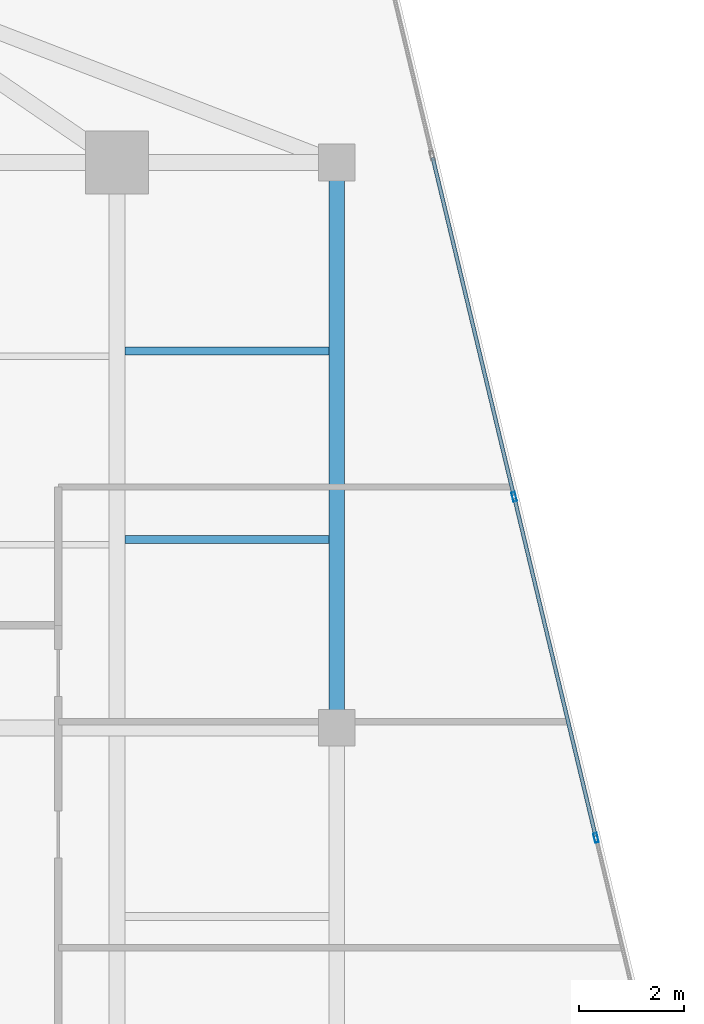
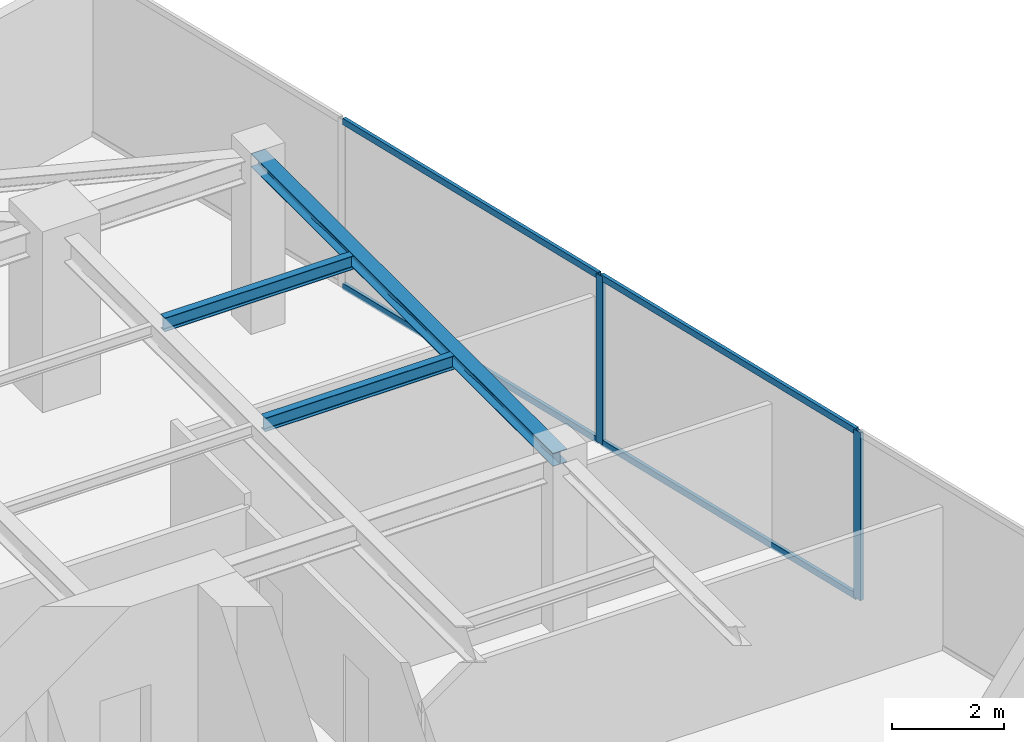
# One storey, part 11 of 22: 6 members, 3 beams, 1 element without a shape of its own.
"""IFC4 building model written with IfcOpenShell, lengths in metres."""

import ifcopenshell
import ifcopenshell.guid

model = None  # the IFC model being written
_history = None  # IfcOwnerHistory: only IFC2X3 demands one
_inside = {}  # id of a spatial element -> (the spatial element, [elements in it])
_under = {}  # id of a project, library or spatial element -> (it, [spatial elements below it])
_declared = {}  # id of a project -> (the project, [libraries it declares])
_typed = {}  # id of a type object -> (the type object, [elements of that type])
_made_of = {}  # id of a material, layer set ... -> (it, [elements and type objects made of it])


def new_model(schema):
    """Start an empty IFC model of exactly this schema.

    Asked for "IFC4X3", IfcOpenShell would pick the latest addendum, in which some entities
    have other attributes; the version numbers below select the first issue.
    IFC2X3 requires an IfcOwnerHistory on every rooted entity: one is made here for all.
    """
    global model, _history
    if schema == "IFC4X3":
        model = ifcopenshell.file(schema_version=(4, 3, 0, 0))
    else:
        model = ifcopenshell.file(schema=schema)
    _inside.clear()
    _under.clear()
    _declared.clear()
    _typed.clear()
    _made_of.clear()
    _history = None
    if model.schema == "IFC2X3":
        org = make("IfcOrganization", Name="unknown")
        user = make(
            "IfcPersonAndOrganization",
            ThePerson=make("IfcPerson", FamilyName="unknown"),
            TheOrganization=org,
        )
        app = make(
            "IfcApplication",
            ApplicationDeveloper=org,
            Version="unknown",
            ApplicationFullName="unknown",
            ApplicationIdentifier="unknown",
        )
        _history = make(
            "IfcOwnerHistory",
            OwningUser=user,
            OwningApplication=app,
            ChangeAction="ADDED",
            CreationDate=0,
        )
    return model


def make(cls, **values):
    """One entity of the class cls with the attributes given. An attribute that is None is left unset."""
    return model.create_entity(
        cls, **{name: value for name, value in values.items() if value is not None}
    )


def rooted(cls, **values):
    """An entity with a GlobalId (a new one), such as an element, a storey or a relation."""
    return make(cls, GlobalId=ifcopenshell.guid.new(), OwnerHistory=_history, **values)


def si_unit(unit_type, name, prefix=None):
    """IfcSIUnit, for example si_unit("LENGTHUNIT", "METRE", prefix="MILLI")."""
    return make("IfcSIUnit", UnitType=unit_type, Prefix=prefix, Name=name)


def assignment(units):
    """IfcUnitAssignment: the units of a project."""
    return None if units is None else make("IfcUnitAssignment", Units=units)


def point(xyz):
    """IfcCartesianPoint."""
    return None if xyz is None else make("IfcCartesianPoint", Coordinates=xyz)


def direction(xyz):
    """IfcDirection."""
    return None if xyz is None else make("IfcDirection", DirectionRatios=xyz)


def frame(location, z_axis=None, x_axis=None):
    """IfcAxis2Placement3D, a coordinate frame: its origin and axes. An axis left out is left unset."""
    return make(
        "IfcAxis2Placement3D",
        Location=point(location),
        Axis=direction(z_axis),
        RefDirection=direction(x_axis),
    )


def frame_2d(location, x_axis=None):
    """IfcAxis2Placement2D, a coordinate frame in the plane: its origin and x axis."""
    return make(
        "IfcAxis2Placement2D", Location=point(location), RefDirection=direction(x_axis)
    )


def origin():
    """The frame at (0, 0, 0) with its axes left unset."""
    return frame((0.0, 0.0, 0.0))


def origin_2d():
    """The frame at (0, 0) in the plane with its x axis left unset."""
    return frame_2d((0.0, 0.0))


def place(relative_to, where):
    """IfcLocalPlacement: puts the frame where relative to a parent placement (None: the world)."""
    return make(
        "IfcLocalPlacement", PlacementRelTo=relative_to, RelativePlacement=where
    )


def context(
    kind, dimensions, precision=None, world=None, true_north=None, identifier=None
):
    """IfcGeometricRepresentationContext, for example the 3D "Model" context."""
    return make(
        "IfcGeometricRepresentationContext",
        ContextIdentifier=identifier,
        ContextType=kind,
        CoordinateSpaceDimension=dimensions,
        Precision=precision,
        WorldCoordinateSystem=world,
        TrueNorth=true_north,
    )


def subcontext(parent, identifier, kind, view, scale=None):
    """IfcGeometricRepresentationSubContext, for example "Body" below "Model"."""
    return make(
        "IfcGeometricRepresentationSubContext",
        ContextIdentifier=identifier,
        ContextType=kind,
        ParentContext=parent,
        TargetScale=scale,
        TargetView=view,
    )


def project(units=None, contexts=None):
    """IfcProject with its units and contexts."""
    return rooted(
        "IfcProject",
        Name="project",
        RepresentationContexts=contexts,
        UnitsInContext=assignment(units),
    )


def spatial(cls, under=None, at=None, **own):
    """A site, building, storey or space (cls), placed at a placement, below another one or the project."""
    s = rooted(cls, ObjectPlacement=at, **own)
    if under is not None:
        _under.setdefault(under.id(), (under, []))[1].append(s)
    return s


def profile(cls, at=None, kind="AREA", **sizes):
    """A parametric profile (cls). Its sizes go by their IFC names, for example OverallWidth=200.0."""
    return make(cls, ProfileType=kind, Position=at, **sizes)


def hollow_rectangle(**sizes):
    """IfcRectangleHollowProfileDef."""
    return profile("IfcRectangleHollowProfileDef", **sizes)


def i_section(**sizes):
    """IfcIShapeProfileDef."""
    return profile("IfcIShapeProfileDef", **sizes)


def extrude(swept, where, along, depth):
    """IfcExtrudedAreaSolid: the profile swept, set in the frame where, extruded along a direction by depth."""
    return make(
        "IfcExtrudedAreaSolid",
        SweptArea=swept,
        Position=where,
        ExtrudedDirection=direction(along),
        Depth=depth,
    )


def shape(context_of_items, identifier, shape_type, items):
    """IfcShapeRepresentation: the items that make up one representation, for example the "Body"."""
    return make(
        "IfcShapeRepresentation",
        ContextOfItems=context_of_items,
        RepresentationIdentifier=identifier,
        RepresentationType=shape_type,
        Items=items,
    )


def source(mapping_origin, context_of_items, identifier, shape_type, items):
    """IfcRepresentationMap: a shape defined once, which mapped items show again and again."""
    return make(
        "IfcRepresentationMap",
        MappingOrigin=mapping_origin,
        MappedRepresentation=shape(context_of_items, identifier, shape_type, items),
    )


def transform(
    local_origin,
    x_axis=None,
    y_axis=None,
    z_axis=None,
    scale=None,
    scale2=None,
    scale3=None,
    uniform=True,
):
    """IfcCartesianTransformationOperator3D, or its non-uniform kind. x_axis, y_axis, z_axis: its Axis1, 2, 3."""
    if uniform:
        return make(
            "IfcCartesianTransformationOperator3D",
            Axis1=direction(x_axis),
            Axis2=direction(y_axis),
            LocalOrigin=point(local_origin),
            Scale=scale,
            Axis3=direction(z_axis),
        )
    return make(
        "IfcCartesianTransformationOperator3DnonUniform",
        Axis1=direction(x_axis),
        Axis2=direction(y_axis),
        LocalOrigin=point(local_origin),
        Scale=scale,
        Axis3=direction(z_axis),
        Scale2=scale2,
        Scale3=scale3,
    )


def mapped(mapping_source, mapping_target):
    """IfcMappedItem: shows the shape of a source again, moved by a transform."""
    return make(
        "IfcMappedItem", MappingSource=mapping_source, MappingTarget=mapping_target
    )


def material(Name=None, Category=None):
    """IfcMaterial."""
    return make("IfcMaterial", Name=Name, Category=Category)


def material_profile(
    of_material, cross_section, Name=None, Category=None, Priority=None
):
    """IfcMaterialProfile: a cross section and its material."""
    return make(
        "IfcMaterialProfile",
        Name=Name,
        Material=of_material,
        Profile=cross_section,
        Priority=Priority,
        Category=Category,
    )


def profile_set(profiles, Name=None, composite=None):
    """IfcMaterialProfileSet."""
    return make(
        "IfcMaterialProfileSet",
        Name=Name,
        MaterialProfiles=profiles,
        CompositeProfile=composite,
    )


def made_of(thing, what):
    """Note that an element or type object is made of a material, layer set ...; save() writes the relation."""
    if what is not None:
        _made_of.setdefault(what.id(), (what, []))[1].append(thing)
    return thing


def type_object(cls, material=None, **own):
    """A type object (cls), such as IfcWallType, which elements share."""
    return made_of(rooted(cls, **own), material)


def type_shapes(of_type, sources):
    """Give a type object the sources (RepresentationMaps) that its elements show as mapped items."""
    of_type.RepresentationMaps = sources


def element(
    cls,
    number,
    at=None,
    inside=None,
    cuts=None,
    type_object=None,
    material=None,
    context=None,
    identifier="Body",
    shape_type=None,
    held_by="IfcProductDefinitionShape",
    body=None,
    shapes=None,
    **own,
):
    """One element of the class cls, such as IfcWall. Its Tag is "e" and its number.

    at: its placement. inside: the storey or other place that contains it. cuts: it is an
    opening in that element (IfcRelVoidsElement). A single representation is given by context,
    identifier, shape_type and body (its items); several are given by shapes. held_by: the class
    of the entity that holds the representations. save() writes the other relations.
    """
    e = rooted(cls, Tag="e%d" % number, ObjectPlacement=at, **own)
    if body is not None:
        shapes = [shape(context, identifier, shape_type, body)]
    if shapes is not None:
        e.Representation = make(held_by, Representations=shapes)
    if inside is not None:
        _inside.setdefault(inside.id(), (inside, []))[1].append(e)
    if cuts is not None:
        rooted(
            "IfcRelVoidsElement", RelatingBuildingElement=cuts, RelatedOpeningElement=e
        )
    if type_object is not None:
        _typed.setdefault(type_object.id(), (type_object, []))[1].append(e)
    return made_of(e, material)


def aggregate(whole, parts):
    """IfcRelAggregates: a whole, such as a stair, and the parts it consists of."""
    return rooted("IfcRelAggregates", RelatingObject=whole, RelatedObjects=parts)


def save(model, path):
    """Write the relations noted so far, then the file.

    IfcRelAggregates (storeys below a building ...), IfcRelContainedInSpatialStructure (elements
    in a storey), IfcRelDefinesByType, IfcRelAssociatesMaterial and IfcRelDeclares: one each for
    every whole, place, type object, material and project.
    """
    for whole, parts in _under.values():
        aggregate(whole, parts)
    for where, things in _inside.values():
        rooted(
            "IfcRelContainedInSpatialStructure",
            RelatedElements=things,
            RelatingStructure=where,
        )
    for kind, things in _typed.values():
        rooted("IfcRelDefinesByType", RelatedObjects=things, RelatingType=kind)
    for what, things in _made_of.values():
        rooted("IfcRelAssociatesMaterial", RelatedObjects=things, RelatingMaterial=what)
    for by, libraries in _declared.values():
        rooted("IfcRelDeclares", RelatingContext=by, RelatedDefinitions=libraries)
    model.write(path)


model = new_model("IFC4")

# Units and contexts
model_context = context("Model", 3, precision=1e-05, world=origin(), true_north=direction((0.0, 1.0)))
body_context = subcontext(model_context, "Body", "Model", "MODEL_VIEW")
ifc_project = project(units=[si_unit("LENGTHUNIT", "METRE"), si_unit("AREAUNIT", "SQUARE_METRE"), si_unit("VOLUMEUNIT", "CUBIC_METRE"), si_unit("PLANEANGLEUNIT", "RADIAN"), si_unit("MASSUNIT", "GRAM", prefix="KILO")], contexts=[model_context])

# Site, building, storey
site_placement = place(None, origin())
site = spatial("IfcSite", under=ifc_project, at=site_placement, CompositionType="ELEMENT")
building_placement = place(site_placement, origin())
building = spatial("IfcBuilding", under=site, at=building_placement, Name="Krantzveldt Concourse Tower", CompositionType="ELEMENT")
storey_placement = place(building_placement, frame((0.0, 0.0, 355.35009765625)))
storey = spatial("IfcBuildingStorey", under=building, at=storey_placement, Name="L87", CompositionType="ELEMENT", Elevation=355.35009765625)

# Beams
ifc_material_1 = material(Name="Steel S355JR", Category="steel")
ifc_material_profile_1 = material_profile(ifc_material_1, i_section(OverallWidth=0.2900390625, OverallDepth=0.2900390625, WebThickness=0.008544921875, FlangeThickness=0.013916015625, FilletRadius=0.027099609375, at=origin_2d()), Name="Steel S355JR", Category="steel")
ifc_profile_set_1 = profile_set([ifc_material_profile_1], Name="Steel S355JR - HEA 300")
beam_type_1 = type_object("IfcBeamType", Name="BM-SP-HEA300", PredefinedType="SPANDREL", material=ifc_profile_set_1)
shared_shape_1 = source(origin(), body_context, "Body", "SweptSolid", [
    extrude(i_section(OverallWidth=0.2900390625, OverallDepth=0.2900390625, WebThickness=0.008544921875, FlangeThickness=0.013916015625, FilletRadius=0.027099609375, at=origin_2d()), origin(), (0.0, 0.0, 1.0), 10.800048828125),
])
type_shapes(beam_type_1, [shared_shape_1])
beam_placement = place(storey_placement, frame((51.0, 37.5, 3.52490234375), z_axis=(0.0, -1.0, 0.0), x_axis=(1.0, 0.0, 0.0)))
element("IfcBeam", 1, at=beam_placement, inside=storey, type_object=beam_type_1, Name="L87 Tower Girder SP-R06", PredefinedType="SPANDREL", context=body_context, shape_type="MappedRepresentation", body=[
    mapped(shared_shape_1, transform((0.0, 0.0, 0.0), x_axis=(1.0, 0.0, 0.0), y_axis=(0.0, 1.0, 0.0), z_axis=(0.0, 0.0, 1.0), scale=1.0)),
])
ifc_material_profile_2 = material_profile(ifc_material_1, i_section(OverallWidth=0.14990234375, OverallDepth=0.300048828125, WebThickness=0.007080078125, FlangeThickness=0.0107421875, FilletRadius=0.014892578125, at=origin_2d()), Name="Steel S355JR", Category="steel")
ifc_profile_set_2 = profile_set([ifc_material_profile_2], Name="Steel S355JR - IPE 300")
beam_type_2 = type_object("IfcBeamType", Name="BM-J-IPE300", PredefinedType="JOIST", material=ifc_profile_set_2)
shared_shape_2 = source(origin(), body_context, "Body", "SweptSolid", [
    extrude(i_section(OverallWidth=0.14990234375, OverallDepth=0.300048828125, WebThickness=0.007080078125, FlangeThickness=0.0107421875, FilletRadius=0.014892578125, at=origin_2d()), origin(), (0.0, 0.0, 1.0), 3.900146484375),
])
type_shapes(beam_type_2, [shared_shape_2])
for number, where, z_axis, x_axis, name in (
    (2, (46.949951171875, 30.300048828125, 3.52001953125), (1.0, 0.0, 0.0), (0.0, 1.0, 0.0), "L87 Secondary Floor Joist JE-3"),
    (3, (46.949951171875, 33.89990234375, 3.52001953125), (1.0, 0.0, 0.0), (0.0, 1.0, 0.0), "L87 Secondary Floor Joist JE-4"),
):
    element("IfcBeam", number, at=place(storey_placement, frame(where, z_axis=z_axis, x_axis=x_axis)), inside=storey, type_object=beam_type_2, Name=name, PredefinedType="JOIST", context=body_context, shape_type="MappedRepresentation", body=[
        mapped(shared_shape_2, transform((0.0, 0.0, 0.0), x_axis=(1.0, 0.0, 0.0), y_axis=(0.0, 1.0, 0.0), z_axis=(0.0, 0.0, 1.0), scale=1.0)),
    ])

# Curtain wall, members
ifc_material_2 = material(Name="Anodised aluminium 6063-T6", Category="aluminium")
curtain_wall_type = type_object("IfcCurtainWallType", Name="CW4", PredefinedType="USERDEFINED", material=ifc_material_2)
curtain_wall_placement = place(storey_placement, origin())
curtain_wall = element("IfcCurtainWall", 4, at=curtain_wall_placement, inside=storey, type_object=curtain_wall_type, Name="CW-L87-F10", ObjectType="UNITISED CURTAIN WALL", PredefinedType="USERDEFINED")
ifc_material_profile_3 = material_profile(ifc_material_2, hollow_rectangle(XDim=0.070068359375, YDim=0.179931640625, WallThickness=0.0048828125, at=origin_2d()), Name="Anodised aluminium 6063-T6", Category="aluminium")
ifc_profile_set_3 = profile_set([ifc_material_profile_3], Name="Anodised aluminium 6063-T6 - ALU-MULL 180x70x5")
member_type_1 = type_object("IfcMemberType", Name="CW-MUL-180", PredefinedType="MULLION", material=ifc_profile_set_3)
shared_shape_3 = source(origin(), body_context, "Body", "SweptSolid", [
    extrude(hollow_rectangle(XDim=0.070068359375, YDim=0.179931640625, WallThickness=0.0048828125, at=origin_2d()), origin(), (0.0, 0.0, 1.0), 3.669921875),
])
type_shapes(member_type_1, [shared_shape_3])
member_1_placement = place(storey_placement, frame((55.95166015625, 24.599609375, 0.0), z_axis=(0.0, 0.0, 1.0), x_axis=(-0.972369896884, -0.233445461796, 0.0)))
member_1 = element("IfcMember", 5, at=member_1_placement, type_object=member_type_1, Name="CW-Z56 mullion 2", PredefinedType="MULLION", context=body_context, shape_type="MappedRepresentation", body=[
    mapped(shared_shape_3, transform((0.0, 0.0, 0.0), x_axis=(1.0, 0.0, 0.0), y_axis=(0.0, 1.0, 0.0), z_axis=(0.0, 0.0, 1.0), scale=1.0)),
])
member_2_placement = place(storey_placement, frame((54.387451171875, 31.114501953125, 0.0), z_axis=(0.0, 0.0, 1.0), x_axis=(-0.972369896884, -0.233445461796, 0.0)))
member_2 = element("IfcMember", 6, at=member_2_placement, type_object=member_type_1, Name="CW-Z56 mullion 3", PredefinedType="MULLION", context=body_context, shape_type="MappedRepresentation", body=[
    mapped(shared_shape_3, transform((0.0, 0.0, 0.0), x_axis=(1.0, 0.0, 0.0), y_axis=(0.0, 1.0, 0.0), z_axis=(0.0, 0.0, 1.0), scale=1.0)),
])
ifc_material_profile_4 = material_profile(ifc_material_2, hollow_rectangle(XDim=0.070068359375, YDim=0.139892578125, WallThickness=0.0048828125, at=origin_2d()), Name="Anodised aluminium 6063-T6", Category="aluminium")
ifc_profile_set_4 = profile_set([ifc_material_profile_4], Name="Anodised aluminium 6063-T6 - ALU-TRAN 140x70x5")
member_type_2 = type_object("IfcMemberType", Name="CW-TRN-150", PredefinedType="USERDEFINED", material=ifc_profile_set_4)
shared_shape_4 = source(origin(), body_context, "Body", "SweptSolid", [
    extrude(hollow_rectangle(XDim=0.070068359375, YDim=0.139892578125, WallThickness=0.0048828125, at=origin_2d()), origin(), (0.0, 0.0, 1.0), 6.6298828125),
])
type_shapes(member_type_2, [shared_shape_4])
member_3_placement = place(storey_placement, frame((55.943359375, 24.633544921875, 0.034912109375), z_axis=(-0.233427268888, 0.972374264437, 0.0), x_axis=(-0.972374264437, -0.233427268888, 0.0)))
member_3 = element("IfcMember", 7, at=member_3_placement, type_object=member_type_2, Name="CW-Z56 transom 2.1", ObjectType="TRANSOM", PredefinedType="USERDEFINED", context=body_context, shape_type="MappedRepresentation", body=[
    mapped(shared_shape_4, transform((0.0, 0.0, 0.0), x_axis=(1.0, 0.0, 0.0), y_axis=(0.0, 1.0, 0.0), z_axis=(0.0, 0.0, 1.0), scale=1.0)),
])
member_4_placement = place(storey_placement, frame((55.943359375, 24.633544921875, 3.635009765625), z_axis=(-0.233427268888, 0.972374264437, 0.0), x_axis=(-0.972374264437, -0.233427268888, 0.0)))
member_4 = element("IfcMember", 8, at=member_4_placement, type_object=member_type_2, Name="CW-Z56 transom 2.2", ObjectType="TRANSOM", PredefinedType="USERDEFINED", context=body_context, shape_type="MappedRepresentation", body=[
    mapped(shared_shape_4, transform((0.0, 0.0, 0.0), x_axis=(1.0, 0.0, 0.0), y_axis=(0.0, 1.0, 0.0), z_axis=(0.0, 0.0, 1.0), scale=1.0)),
])
member_5_placement = place(storey_placement, frame((54.37939453125, 31.1484375, 0.034912109375), z_axis=(-0.233462085953, 0.972365905625, 0.0), x_axis=(-0.972365905625, -0.233462085953, 0.0)))
member_5 = element("IfcMember", 9, at=member_5_placement, type_object=member_type_2, Name="CW-Z56 transom 3.1", ObjectType="TRANSOM", PredefinedType="USERDEFINED", context=body_context, shape_type="MappedRepresentation", body=[
    mapped(shared_shape_4, transform((0.0, 0.0, 0.0), x_axis=(1.0, 0.0, 0.0), y_axis=(0.0, 1.0, 0.0), z_axis=(0.0, 0.0, 1.0), scale=1.0)),
])
member_6_placement = place(storey_placement, frame((54.37939453125, 31.1484375, 3.635009765625), z_axis=(-0.233462085953, 0.972365905625, 0.0), x_axis=(-0.972365905625, -0.233462085953, 0.0)))
member_6 = element("IfcMember", 10, at=member_6_placement, type_object=member_type_2, Name="CW-Z56 transom 3.2", ObjectType="TRANSOM", PredefinedType="USERDEFINED", context=body_context, shape_type="MappedRepresentation", body=[
    mapped(shared_shape_4, transform((0.0, 0.0, 0.0), x_axis=(1.0, 0.0, 0.0), y_axis=(0.0, 1.0, 0.0), z_axis=(0.0, 0.0, 1.0), scale=1.0)),
])
aggregate(curtain_wall, [member_1, member_2, member_3, member_4, member_5, member_6])

save(model, "model.ifc")
